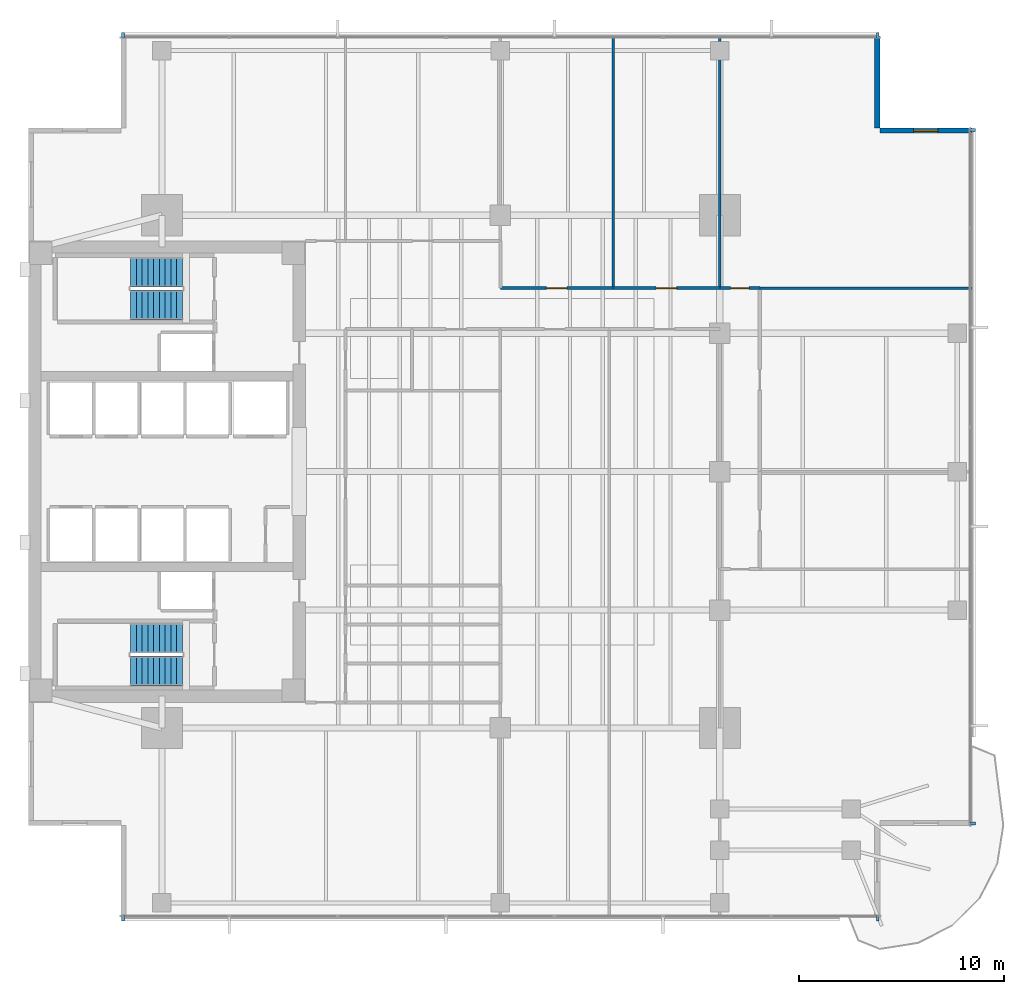
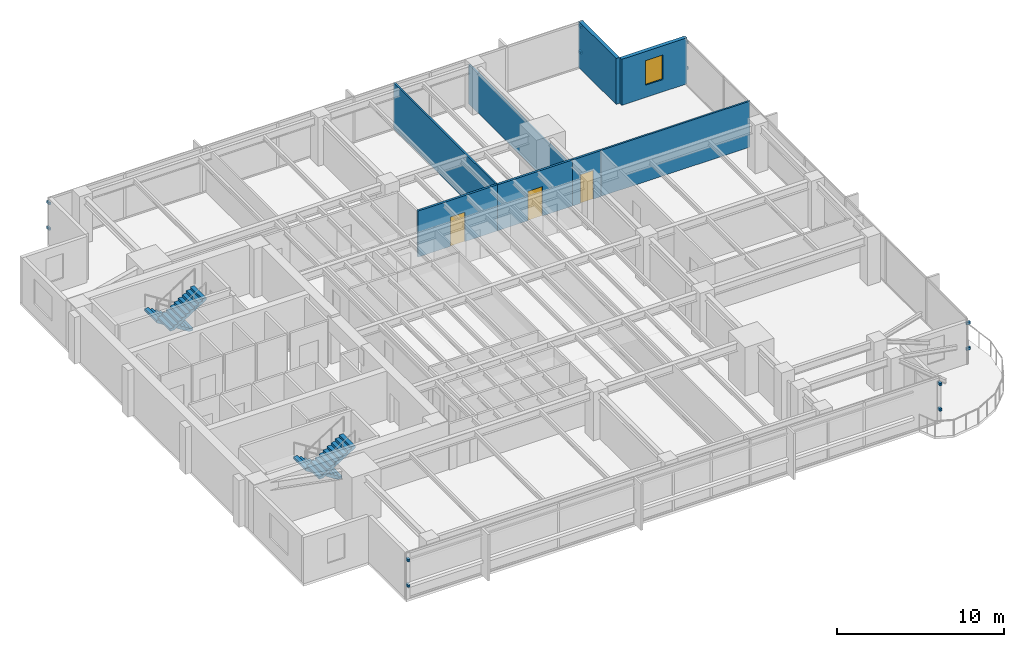
# One storey, part 10 of 14: 12 discrete accessories, 8 walls, 4 stair flights, 3 doors, 1 window, 4 openings, 2 elements without a shape of their own.
"""IFC4 building model written with IfcOpenShell, lengths in metres."""

from ifc_helpers import new_model, si_unit, direction, frame, frame_2d, origin, origin_2d, place, context, subcontext, project, spatial, polyline, rectangle, outline, extrude, material, layer, layer_set, type_object, element, fill, aggregate, save


model = new_model("IFC4")

# Units and contexts
model_context = context("Model", 3, precision=1e-05, world=origin(), true_north=direction((0.0, 1.0)))
body_context = subcontext(model_context, "Body", "Model", "MODEL_VIEW")
ifc_project = project(units=[si_unit("LENGTHUNIT", "METRE"), si_unit("AREAUNIT", "SQUARE_METRE"), si_unit("VOLUMEUNIT", "CUBIC_METRE"), si_unit("PLANEANGLEUNIT", "RADIAN"), si_unit("MASSUNIT", "GRAM", prefix="KILO")], contexts=[model_context])

# Site, building, storey
site_placement = place(None, origin())
site = spatial("IfcSite", under=ifc_project, at=site_placement, CompositionType="ELEMENT")
building_placement = place(site_placement, origin())
building = spatial("IfcBuilding", under=site, at=building_placement, Name="Kinhvarn Gate Tower", CompositionType="ELEMENT")
storey_placement = place(building_placement, frame((0.0, 0.0, 123.550048828125)))
storey = spatial("IfcBuildingStorey", under=building, at=storey_placement, Name="L32", CompositionType="ELEMENT", Elevation=123.550048828125)

# Wall, opening, window
ifc_material_1 = material(Name="Fired architectural terracotta", Category="masonry")
ifc_layer_1 = layer(ifc_material_1, 0.25)
ifc_layer_set_1 = layer_set([ifc_layer_1], Name="Fired architectural terracotta")
wall_type_1 = type_object("IfcWallType", Name="WL-EXT-250", PredefinedType="SOLIDWALL", material=ifc_layer_set_1)
wall_1_placement = place(storey_placement, frame((50.5, 41.875, 0.0), z_axis=(0.0, 0.0, 1.0), x_axis=(-1.0, 0.0, 0.0)))
wall_1 = element("IfcWall", 1, at=wall_1_placement, inside=storey, type_object=wall_type_1, Name="Exterior Solidwall Wall EW-250 (L32 NE-Notch-1)", PredefinedType="SOLIDWALL", context=body_context, shape_type="SweptSolid", body=[
    extrude(rectangle(XDim=4.5, YDim=0.25, at=frame_2d((2.25, 0.0))), origin(), (0.0, 0.0, 1.0), 3.369873046875),
])
opening_1_placement = place(wall_1_placement, frame((1.64990234375, 0.0, 0.89990234375)))
opening_1 = element("IfcOpeningElement", 2, at=opening_1_placement, cuts=wall_1, Name="Opening WN-02", PredefinedType="OPENING", context=body_context, shape_type="SweptSolid", body=[
    extrude(rectangle(XDim=1.199951171875, YDim=1.800048828125, at=frame_2d((0.60009765625, 0.89990234375))), frame((0.0, 0.135009765625, 0.0), z_axis=(0.0, -1.0, 0.0), x_axis=(1.0, 0.0, 0.0)), (0.0, 0.0, 1.0), 0.27001953125),
])
ifc_material_2 = material(Name="Clear low-e double glazing", Category="glass")
window_type = type_object("IfcWindowType", Name="WIN-NTC-1200", PartitioningType="SINGLE_PANEL", PredefinedType="WINDOW", material=ifc_material_2)
window_placement = place(opening_1_placement, origin())
window = element("IfcWindow", 3, at=window_placement, inside=storey, type_object=window_type, Name="Recessed Corner Notch Punched Window 1200x1800 mm (L32)", OverallHeight=1.800048828125, OverallWidth=1.199951171875, PartitioningType="SINGLE_PANEL", PredefinedType="WINDOW", context=body_context, shape_type="SweptSolid", body=[
    extrude(rectangle(XDim=1.199951171875, YDim=1.800048828125, at=frame_2d((0.60009765625, 0.89990234375))), frame((0.0, 0.030029296875, 0.0), z_axis=(0.0, -1.0, 0.0), x_axis=(1.0, 0.0, 0.0)), (0.0, 0.0, 1.0), 0.06005859375),
])
fill(opening_1, window)

# Walls
wall_2_placement = place(storey_placement, frame((45.875, 42.0, 0.0), z_axis=(0.0, 0.0, 1.0), x_axis=(0.0, 1.0, 0.0)))
element("IfcWall", 4, at=wall_2_placement, inside=storey, type_object=wall_type_1, Name="Exterior Solidwall Wall EW-250 (L32 NE-Notch-2)", PredefinedType="SOLIDWALL", context=body_context, shape_type="SweptSolid", body=[
    extrude(rectangle(XDim=4.5, YDim=0.25, at=frame_2d((2.25, 0.0))), origin(), (0.0, 0.0, 1.0), 3.369873046875),
])
ifc_material_3 = material(Name="Gypsum acoustic partition board")
ifc_layer_2 = layer(ifc_material_3, 0.1201171875)
ifc_layer_set_2 = layer_set([ifc_layer_2], Name="Gypsum acoustic partition board")
wall_type_2 = type_object("IfcWallType", Name="WL-PRT-120", PredefinedType="PARTITIONING", material=ifc_layer_set_2)
wall_3_placement = place(storey_placement, frame((33.0, 34.199951171875, 0.0), z_axis=(0.0, 0.0, 1.0), x_axis=(0.0, 1.0, 0.0)))
element("IfcWall", 5, at=wall_3_placement, inside=storey, type_object=wall_type_2, Name="Interior Partition PW-120 (L32)", PredefinedType="PARTITIONING", context=body_context, shape_type="SweptSolid", body=[
    extrude(rectangle(XDim=12.2900390625, YDim=0.1201171875, at=frame_2d((6.14501953125, 0.0))), origin(), (0.0, 0.0, 1.0), 3.369873046875),
])
wall_4_placement = place(storey_placement, frame((38.199951171875, 34.199951171875, 0.0), z_axis=(0.0, 0.0, 1.0), x_axis=(0.0, 1.0, 0.0)))
element("IfcWall", 6, at=wall_4_placement, inside=storey, type_object=wall_type_2, Name="Interior Partition PW-120 (L32)", PredefinedType="PARTITIONING", context=body_context, shape_type="SweptSolid", body=[
    extrude(rectangle(XDim=12.2900390625, YDim=0.1201171875, at=frame_2d((6.14501953125, 0.0))), origin(), (0.0, 0.0, 1.0), 2.869873046875),
])
wall_5_placement = place(storey_placement, frame((40.14990234375, 34.199951171875, 0.0), z_axis=(0.0, 0.0, 1.0), x_axis=(1.0, 0.0, 0.0)))
element("IfcWall", 7, at=wall_5_placement, inside=storey, type_object=wall_type_2, Name="Interior Partition PW-120 (L32)", PredefinedType="PARTITIONING", context=body_context, shape_type="SweptSolid", body=[
    extrude(rectangle(XDim=10.340087890625, YDim=0.1201171875, at=frame_2d((5.169921875, 0.0))), origin(), (0.0, 0.0, 1.0), 3.369873046875),
])

# Wall, opening, door
ifc_layer_3 = layer(ifc_material_3, 0.14990234375)
ifc_layer_set_3 = layer_set([ifc_layer_3], Name="Gypsum acoustic partition board")
wall_type_3 = type_object("IfcWallType", Name="WL-PRT-150F", PredefinedType="PARTITIONING", material=ifc_layer_set_3)
wall_6_placement = place(storey_placement, frame((27.5, 34.199951171875, 0.0), z_axis=(0.0, 0.0, 1.0), x_axis=(1.0, 0.0, 0.0)))
wall_6 = element("IfcWall", 8, at=wall_6_placement, inside=storey, type_object=wall_type_3, Name="Interior Partition PW-150F (L32)", PredefinedType="PARTITIONING", context=body_context, shape_type="SweptSolid", body=[
    extrude(rectangle(XDim=5.5, YDim=0.14990234375, at=frame_2d((2.75, 0.0))), origin(), (0.0, 0.0, 1.0), 3.369873046875),
])
opening_2_placement = place(wall_6_placement, frame((2.25, 0.0, 0.0)))
opening_2 = element("IfcOpeningElement", 9, at=opening_2_placement, cuts=wall_6, Name="Opening ID-02", PredefinedType="OPENING", context=body_context, shape_type="SweptSolid", body=[
    extrude(rectangle(XDim=1.0, YDim=2.14990234375, at=frame_2d((0.5, 1.074951171875))), frame((0.0, 0.0849609375, 0.0), z_axis=(0.0, -1.0, 0.0), x_axis=(1.0, 0.0, 0.0)), (0.0, 0.0, 1.0), 0.169921875),
])
ifc_material_4 = material(Name="Anodised aluminium AW-6063", Category="aluminium")
door_type_1 = type_object("IfcDoorType", Name="DR-INT-1000", OperationType="NOTDEFINED", PredefinedType="DOOR", material=ifc_material_4)
door_1_placement = place(opening_2_placement, origin())
door_1 = element("IfcDoor", 10, at=door_1_placement, inside=storey, type_object=door_type_1, Name="Standard Office & Meeting Room Door 1000x2150 mm (L32)", OperationType="SINGLE_SWING_RIGHT", OverallHeight=2.14990234375, OverallWidth=1.0, PredefinedType="DOOR", context=body_context, shape_type="SweptSolid", body=[
    extrude(rectangle(XDim=1.0, YDim=2.14990234375, at=frame_2d((0.5, 1.074951171875))), frame((0.0, 0.02490234375, 0.0), z_axis=(0.0, -1.0, 0.0), x_axis=(1.0, 0.0, 0.0)), (0.0, 0.0, 1.0), 0.050048828125),
])
fill(opening_2, door_1)

wall_7_placement = place(storey_placement, frame((33.0, 34.199951171875, 0.0), z_axis=(0.0, 0.0, 1.0), x_axis=(1.0, 0.0, 0.0)))
wall_7 = element("IfcWall", 11, at=wall_7_placement, inside=storey, type_object=wall_type_3, Name="Interior Partition PW-150F (L32)", PredefinedType="PARTITIONING", context=body_context, shape_type="SweptSolid", body=[
    extrude(rectangle(XDim=5.199951171875, YDim=0.14990234375, at=frame_2d((2.60009765625, 0.0))), origin(), (0.0, 0.0, 1.0), 3.369873046875),
])
opening_3_placement = place(wall_7_placement, frame((2.10009765625, 0.0, 0.0)))
opening_3 = element("IfcOpeningElement", 12, at=opening_3_placement, cuts=wall_7, Name="Opening ID-02", PredefinedType="OPENING", context=body_context, shape_type="SweptSolid", body=[
    extrude(rectangle(XDim=1.0, YDim=2.14990234375, at=frame_2d((0.5, 1.074951171875))), frame((0.0, 0.0849609375, 0.0), z_axis=(0.0, -1.0, 0.0), x_axis=(1.0, 0.0, 0.0)), (0.0, 0.0, 1.0), 0.169921875),
])
door_2_placement = place(opening_3_placement, origin())
door_2 = element("IfcDoor", 13, at=door_2_placement, inside=storey, type_object=door_type_1, Name="Standard Office & Meeting Room Door 1000x2150 mm (L32)", OperationType="SINGLE_SWING_LEFT", OverallHeight=2.14990234375, OverallWidth=1.0, PredefinedType="DOOR", context=body_context, shape_type="SweptSolid", body=[
    extrude(rectangle(XDim=1.0, YDim=2.14990234375, at=frame_2d((0.5, 1.074951171875))), frame((0.0, 0.02490234375, 0.0), z_axis=(0.0, -1.0, 0.0), x_axis=(1.0, 0.0, 0.0)), (0.0, 0.0, 1.0), 0.050048828125),
])
fill(opening_3, door_2)

wall_8_placement = place(storey_placement, frame((38.199951171875, 34.199951171875, 0.0), z_axis=(0.0, 0.0, 1.0), x_axis=(1.0, 0.0, 0.0)))
wall_8 = element("IfcWall", 14, at=wall_8_placement, inside=storey, type_object=wall_type_3, Name="Interior Partition PW-150F (L32)", PredefinedType="PARTITIONING", context=body_context, shape_type="SweptSolid", body=[
    extrude(rectangle(XDim=1.949951171875, YDim=0.14990234375, at=frame_2d((0.97509765625, 0.0))), origin(), (0.0, 0.0, 1.0), 3.369873046875),
])
opening_4_placement = place(wall_8_placement, frame((0.52490234375, 0.0, 0.0)))
opening_4 = element("IfcOpeningElement", 15, at=opening_4_placement, cuts=wall_8, Name="Opening ID-03", PredefinedType="OPENING", context=body_context, shape_type="SweptSolid", body=[
    extrude(rectangle(XDim=0.89990234375, YDim=2.10009765625, at=frame_2d((0.449951171875, 1.050048828125))), frame((0.0, 0.0849609375, 0.0), z_axis=(0.0, -1.0, 0.0), x_axis=(1.0, 0.0, 0.0)), (0.0, 0.0, 1.0), 0.169921875),
])
door_type_2 = type_object("IfcDoorType", Name="DR-INT-900", OperationType="NOTDEFINED", PredefinedType="DOOR", material=ifc_material_4)
door_3_placement = place(opening_4_placement, origin())
door_3 = element("IfcDoor", 16, at=door_3_placement, inside=storey, type_object=door_type_2, Name="Cellular Office & Restroom Door 900x2100 mm (L32)", OperationType="SINGLE_SWING_RIGHT", OverallHeight=2.10009765625, OverallWidth=0.89990234375, PredefinedType="DOOR", context=body_context, shape_type="SweptSolid", body=[
    extrude(rectangle(XDim=0.89990234375, YDim=2.10009765625, at=frame_2d((0.449951171875, 1.050048828125))), frame((0.0, 0.02490234375, 0.0), z_axis=(0.0, -1.0, 0.0), x_axis=(1.0, 0.0, 0.0)), (0.0, 0.0, 1.0), 0.050048828125),
])
fill(opening_4, door_3)

# Stair, stair flights
ifc_material_5 = material(Name="Concrete C40/50", Category="concrete")
stair_type = type_object("IfcStairType", Name="STR-DLG-177", PredefinedType="HALF_TURN_STAIR", material=ifc_material_5)
stair_1_placement = place(storey_placement, origin())
stair_1 = element("IfcStair", 17, at=stair_1_placement, inside=storey, type_object=stair_type, Name="L32 Core Smokeproof Exit Stair ST1", PredefinedType="HALF_TURN_STAIR")
stair_flight_type = type_object("IfcStairFlightType", Name="STF-DLG-177", PredefinedType="STRAIGHT", material=ifc_material_5)
stair_flight_1_placement = place(storey_placement, frame((12.0, 17.125, 0.0), z_axis=(0.0, 0.0, 1.0), x_axis=(-1.0, 0.0, 0.0)))
stair_flight_1 = element("IfcStairFlight", 18, at=stair_flight_1_placement, type_object=stair_flight_type, Name="ST1 flight 1", NumberOfRisers=10, NumberOfTreads=9, PredefinedType="STRAIGHT", RiserHeight=0.1775, TreadLength=0.28, context=body_context, shape_type="SweptSolid", body=[
    extrude(outline(polyline([(0.0, 0.0), (0.0, 0.177490234375), (0.280029296875, 0.177490234375), (0.280029296875, 0.35498046875), (0.56005859375, 0.35498046875), (0.56005859375, 0.532470703125), (0.840087890625, 0.532470703125), (0.840087890625, 0.7099609375), (1.1201171875, 0.7099609375), (1.1201171875, 0.887451171875), (1.39990234375, 0.887451171875), (1.39990234375, 1.06494140625), (1.679931640625, 1.06494140625), (1.679931640625, 1.242431640625), (1.9599609375, 1.242431640625), (1.9599609375, 1.419921875), (2.239990234375, 1.419921875), (2.239990234375, 1.597412109375), (2.52001953125, 1.597412109375), (2.52001953125, 1.77490234375), (2.52001953125, 1.419921875), (0.280029296875, 0.0), (0.0, 0.0)])), frame((0.0, 0.72509765625, 0.0), z_axis=(0.0, -1.0, 0.0), x_axis=(1.0, 0.0, 0.0)), (0.0, 0.0, 1.0), 1.449951171875),
])
stair_flight_2_placement = place(storey_placement, frame((9.47998046875, 15.52490234375, 1.77490234375), z_axis=(0.0, 0.0, 1.0), x_axis=(1.0, 0.0, 0.0)))
stair_flight_2 = element("IfcStairFlight", 19, at=stair_flight_2_placement, type_object=stair_flight_type, Name="ST1 flight 2", NumberOfRisers=10, NumberOfTreads=9, PredefinedType="STRAIGHT", RiserHeight=0.1775, TreadLength=0.28, context=body_context, shape_type="SweptSolid", body=[
    extrude(outline(polyline([(0.0, 0.0), (0.0, 0.177490234375), (0.280029296875, 0.177490234375), (0.280029296875, 0.35498046875), (0.56005859375, 0.35498046875), (0.56005859375, 0.532470703125), (0.840087890625, 0.532470703125), (0.840087890625, 0.7099609375), (1.1201171875, 0.7099609375), (1.1201171875, 0.887451171875), (1.39990234375, 0.887451171875), (1.39990234375, 1.06494140625), (1.679931640625, 1.06494140625), (1.679931640625, 1.242431640625), (1.9599609375, 1.242431640625), (1.9599609375, 1.419921875), (2.239990234375, 1.419921875), (2.239990234375, 1.597412109375), (2.52001953125, 1.597412109375), (2.52001953125, 1.77490234375), (2.52001953125, 1.419921875), (0.280029296875, 0.0), (0.0, 0.0)])), frame((0.0, 0.72509765625, 0.0), z_axis=(0.0, -1.0, 0.0), x_axis=(1.0, 0.0, 0.0)), (0.0, 0.0, 1.0), 1.449951171875),
])
aggregate(stair_1, [stair_flight_1, stair_flight_2])

stair_2_placement = place(storey_placement, origin())
stair_2 = element("IfcStair", 20, at=stair_2_placement, inside=storey, type_object=stair_type, Name="L32 Core Smokeproof Exit Stair ST2", PredefinedType="HALF_TURN_STAIR")
stair_flight_3_placement = place(storey_placement, frame((12.0, 34.97509765625, 0.0), z_axis=(0.0, 0.0, 1.0), x_axis=(-1.0, 0.0, 0.0)))
stair_flight_3 = element("IfcStairFlight", 21, at=stair_flight_3_placement, type_object=stair_flight_type, Name="ST2 flight 1", NumberOfRisers=10, NumberOfTreads=9, PredefinedType="STRAIGHT", RiserHeight=0.1775, TreadLength=0.28, context=body_context, shape_type="SweptSolid", body=[
    extrude(outline(polyline([(0.0, 0.0), (0.0, 0.177490234375), (0.280029296875, 0.177490234375), (0.280029296875, 0.35498046875), (0.56005859375, 0.35498046875), (0.56005859375, 0.532470703125), (0.840087890625, 0.532470703125), (0.840087890625, 0.7099609375), (1.1201171875, 0.7099609375), (1.1201171875, 0.887451171875), (1.39990234375, 0.887451171875), (1.39990234375, 1.06494140625), (1.679931640625, 1.06494140625), (1.679931640625, 1.242431640625), (1.9599609375, 1.242431640625), (1.9599609375, 1.419921875), (2.239990234375, 1.419921875), (2.239990234375, 1.597412109375), (2.52001953125, 1.597412109375), (2.52001953125, 1.77490234375), (2.52001953125, 1.419921875), (0.280029296875, 0.0), (0.0, 0.0)])), frame((0.0, 0.72509765625, 0.0), z_axis=(0.0, -1.0, 0.0), x_axis=(1.0, 0.0, 0.0)), (0.0, 0.0, 1.0), 1.449951171875),
])
stair_flight_4_placement = place(storey_placement, frame((9.47998046875, 33.375, 1.77490234375), z_axis=(0.0, 0.0, 1.0), x_axis=(1.0, 0.0, 0.0)))
stair_flight_4 = element("IfcStairFlight", 22, at=stair_flight_4_placement, type_object=stair_flight_type, Name="ST2 flight 2", NumberOfRisers=10, NumberOfTreads=9, PredefinedType="STRAIGHT", RiserHeight=0.1775, TreadLength=0.28, context=body_context, shape_type="SweptSolid", body=[
    extrude(outline(polyline([(0.0, 0.0), (0.0, 0.177490234375), (0.280029296875, 0.177490234375), (0.280029296875, 0.35498046875), (0.56005859375, 0.35498046875), (0.56005859375, 0.532470703125), (0.840087890625, 0.532470703125), (0.840087890625, 0.7099609375), (1.1201171875, 0.7099609375), (1.1201171875, 0.887451171875), (1.39990234375, 0.887451171875), (1.39990234375, 1.06494140625), (1.679931640625, 1.06494140625), (1.679931640625, 1.242431640625), (1.9599609375, 1.242431640625), (1.9599609375, 1.419921875), (2.239990234375, 1.419921875), (2.239990234375, 1.597412109375), (2.52001953125, 1.597412109375), (2.52001953125, 1.77490234375), (2.52001953125, 1.419921875), (0.280029296875, 0.0), (0.0, 0.0)])), frame((0.0, 0.72509765625, 0.0), z_axis=(0.0, -1.0, 0.0), x_axis=(1.0, 0.0, 0.0)), (0.0, 0.0, 1.0), 1.449951171875),
])
aggregate(stair_2, [stair_flight_3, stair_flight_4])

# Discrete accessories
discrete_accessory_type = type_object("IfcDiscreteAccessoryType", Name="ACC-BRK-01", PredefinedType="BRACKET", material=ifc_material_4)
for number, where, z_axis, x_axis, name in (
    (23, (9.10009765625, 3.469970703125, 0.9599609375), (0.0, 0.0, 1.0), (1.0, 0.0, 0.0), "Baguette Support Bracket BK-01 (L32)"),
    (24, (9.10009765625, 3.469970703125, 2.830078125), (0.0, 0.0, 1.0), (1.0, 0.0, 0.0), "Baguette Support Bracket BK-01 (L32)"),
    (25, (45.89990234375, 3.469970703125, 0.9599609375), (0.0, 0.0, 1.0), (1.0, 0.0, 0.0), "Baguette Support Bracket BK-01 (L32)"),
    (26, (45.89990234375, 3.469970703125, 2.830078125), (0.0, 0.0, 1.0), (1.0, 0.0, 0.0), "Baguette Support Bracket BK-01 (L32)"),
    (27, (45.89990234375, 46.530029296875, 0.9599609375), (0.0, 0.0, 1.0), (-1.0, 0.0, 0.0), "Baguette Support Bracket BK-01 (L32)"),
    (28, (45.89990234375, 46.530029296875, 2.830078125), (0.0, 0.0, 1.0), (-1.0, 0.0, 0.0), "Baguette Support Bracket BK-01 (L32)"),
    (29, (9.10009765625, 46.530029296875, 0.9599609375), (0.0, 0.0, 1.0), (-1.0, 0.0, 0.0), "Baguette Support Bracket BK-01 (L32)"),
    (30, (9.10009765625, 46.530029296875, 2.830078125), (0.0, 0.0, 1.0), (-1.0, 0.0, 0.0), "Baguette Support Bracket BK-01 (L32)"),
    (31, (50.530029296875, 8.10009765625, 0.9599609375), (0.0, 0.0, 1.0), (0.0, 1.0, 0.0), "Baguette Support Bracket BK-01 (L32)"),
    (32, (50.530029296875, 8.10009765625, 2.830078125), (0.0, 0.0, 1.0), (0.0, 1.0, 0.0), "Baguette Support Bracket BK-01 (L32)"),
    (33, (50.530029296875, 41.89990234375, 0.9599609375), (0.0, 0.0, 1.0), (0.0, 1.0, 0.0), "Baguette Support Bracket BK-01 (L32)"),
    (34, (50.530029296875, 41.89990234375, 2.830078125), (0.0, 0.0, 1.0), (0.0, 1.0, 0.0), "Baguette Support Bracket BK-01 (L32)"),
):
    element("IfcDiscreteAccessory", number, at=place(storey_placement, frame(where, z_axis=z_axis, x_axis=x_axis)), inside=storey, type_object=discrete_accessory_type, Name=name, PredefinedType="BRACKET", context=body_context, shape_type="SweptSolid", body=[
        extrude(rectangle(XDim=0.139892578125, YDim=0.280029296875, at=origin_2d()), origin(), (0.0, 0.0, 1.0), 0.179931640625),
    ])

save(model, "model.ifc")
